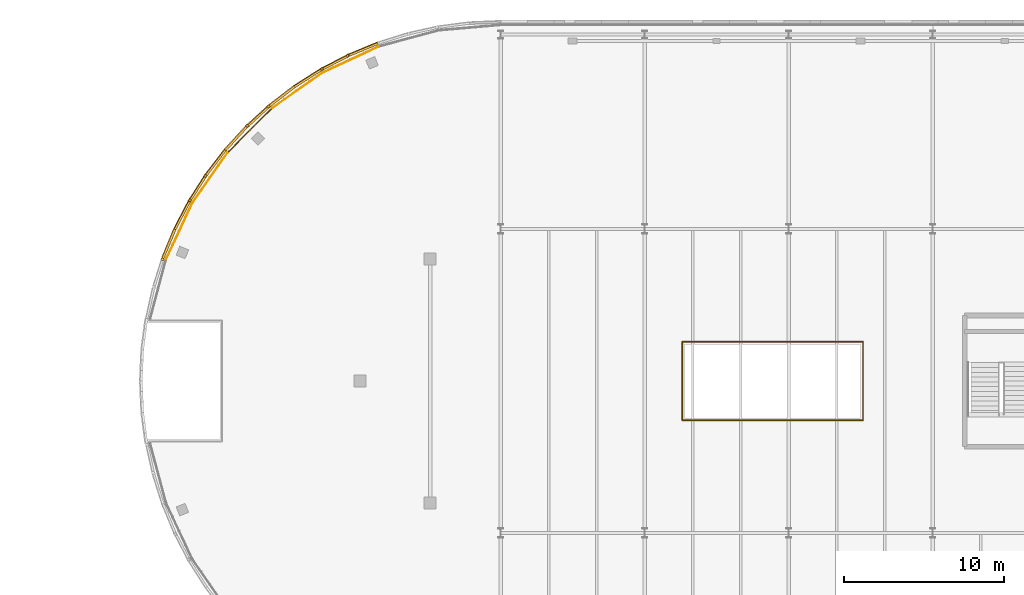
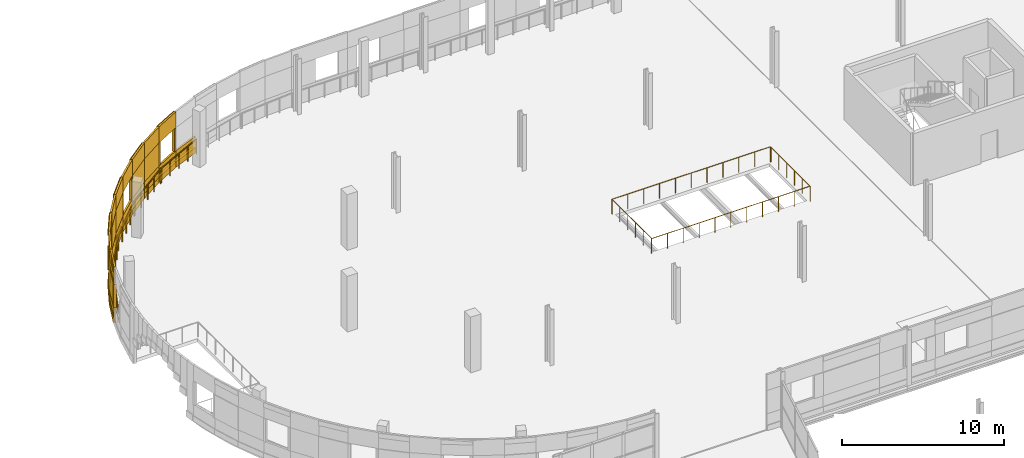
# One storey, part 124 of 135: 47 coverings, 7 railings.
"""IFC4 building model written with IfcOpenShell, lengths in metres."""

from ifc_helpers import new_model, si_unit, direction, frame, origin, origin_2d, place, context, subcontext, project, spatial, rectangle, circle, extrude, material, layer, layer_set, type_object, element, save


model = new_model("IFC4")

# Units and contexts
model_context = context("Model", 3, precision=1e-05, world=origin(), true_north=direction((0.0, 1.0)))
body_context = subcontext(model_context, "Body", "Model", "MODEL_VIEW")
ifc_project = project(units=[si_unit("LENGTHUNIT", "METRE"), si_unit("AREAUNIT", "SQUARE_METRE"), si_unit("VOLUMEUNIT", "CUBIC_METRE"), si_unit("PLANEANGLEUNIT", "RADIAN"), si_unit("MASSUNIT", "GRAM", prefix="KILO")], contexts=[model_context])

# Site, building, storey
site_placement = place(None, origin())
site = spatial("IfcSite", under=ifc_project, at=site_placement, CompositionType="ELEMENT")
building_placement = place(site_placement, origin())
building = spatial("IfcBuilding", under=site, at=building_placement, Name="Deido Ridge Mobility Hub", CompositionType="ELEMENT")
storey_placement = place(building_placement, frame((0.0, 0.0, 4.199951171875)))
storey = spatial("IfcBuildingStorey", under=building, at=storey_placement, Name="L01", CompositionType="ELEMENT", Elevation=4.199951171875)

# Coverings
ifc_material_1 = material(Name="Fired clay brick masonry", Category="masonry")
ifc_layer = layer(ifc_material_1, 0.114990234375, Name="Fired clay brick masonry")
ifc_layer_set = layer_set([ifc_layer], Name="Fired clay brick masonry")
covering_type = type_object("IfcCoveringType", Name="COV-BRK-SCREEN-115", PredefinedType="CLADDING", material=ifc_layer_set)
covering_1_placement = place(storey_placement, frame((36.41796875, 124.218994140625, 0.0), z_axis=(0.0, 0.0, 1.0), x_axis=(-0.923872853285, -0.382699557047, 0.0)))
element("IfcCovering", 1, at=covering_1_placement, inside=storey, type_object=covering_type, Name="Open brickwork spandrel course BKS1 (L01)", PredefinedType="CLADDING", context=body_context, shape_type="SweptSolid", body=[
    extrude(rectangle(XDim=1.9619140625, YDim=0.125, at=origin_2d()), origin(), (0.0, 0.0, 1.0), 1.25),
])
covering_2_placement = place(storey_placement, frame((36.4072265625, 124.244384765625, 0.0), z_axis=(0.0, 0.0, 1.0), x_axis=(-0.923872853285, -0.382699557047, 0.0)))
element("IfcCovering", 2, at=covering_2_placement, inside=storey, type_object=covering_type, Name="Raised brick relief belt BKS1 (L01)", PredefinedType="CLADDING", context=body_context, shape_type="SweptSolid", body=[
    extrude(rectangle(XDim=1.9619140625, YDim=0.179931640625, at=origin_2d()), origin(), (0.0, 0.0, 1.0), 0.39990234375),
])
covering_3_placement = place(storey_placement, frame((34.644775390625, 123.392333984375, 0.0), z_axis=(0.0, 0.0, 1.0), x_axis=(-0.887018892077, -0.461733131905, 0.0)))
element("IfcCovering", 3, at=covering_3_placement, inside=storey, type_object=covering_type, Name="Open brickwork spandrel course BKS1 (L01)", PredefinedType="CLADDING", context=body_context, shape_type="SweptSolid", body=[
    extrude(rectangle(XDim=1.9619140625, YDim=0.125, at=origin_2d()), origin(), (0.0, 0.0, 1.0), 1.25),
])
covering_4_placement = place(storey_placement, frame((34.632080078125, 123.416748046875, 0.0), z_axis=(0.0, 0.0, 1.0), x_axis=(-0.887018892077, -0.461733131905, 0.0)))
element("IfcCovering", 4, at=covering_4_placement, inside=storey, type_object=covering_type, Name="Raised brick relief belt BKS1 (L01)", PredefinedType="CLADDING", context=body_context, shape_type="SweptSolid", body=[
    extrude(rectangle(XDim=1.9619140625, YDim=0.179931640625, at=origin_2d()), origin(), (0.0, 0.0, 1.0), 0.39990234375),
])
covering_5_placement = place(storey_placement, frame((34.644775390625, 123.392333984375, 3.0), z_axis=(0.0, 0.0, 1.0), x_axis=(-0.887018892077, -0.461733131905, 0.0)))
element("IfcCovering", 5, at=covering_5_placement, inside=storey, type_object=covering_type, Name="Open brickwork lintel course BKS1 (L01)", PredefinedType="CLADDING", context=body_context, shape_type="SweptSolid", body=[
    extrude(rectangle(XDim=1.9619140625, YDim=0.125, at=origin_2d()), origin(), (0.0, 0.0, 1.0), 1.199951171875),
])
covering_6_placement = place(storey_placement, frame((34.632080078125, 123.416748046875, 3.83984375), z_axis=(0.0, 0.0, 1.0), x_axis=(-0.887018892077, -0.461733131905, 0.0)))
element("IfcCovering", 6, at=covering_6_placement, inside=storey, type_object=covering_type, Name="Raised brick relief cornice BKS1 (L01)", PredefinedType="CLADDING", context=body_context, shape_type="SweptSolid", body=[
    extrude(rectangle(XDim=1.9619140625, YDim=0.179931640625, at=origin_2d()), origin(), (0.0, 0.0, 1.0), 0.360107421875),
])
for number, where, z_axis, x_axis, name in (
    (7, (35.431396484375, 123.832763671875, 1.25), (0.0, 0.0, 1.0), (-0.887018892077, -0.461733131905, 0.0), "Curved brick jamb nib BKS1 (L01)"),
    (8, (33.832763671875, 123.00048828125, 1.25), (0.0, 0.0, 1.0), (-0.887018892077, -0.461733131905, 0.0), "Curved brick jamb nib BKS1 (L01)"),
):
    element("IfcCovering", number, at=place(storey_placement, frame(where, z_axis=z_axis, x_axis=x_axis)), inside=storey, type_object=covering_type, Name=name, PredefinedType="CLADDING", context=body_context, shape_type="SweptSolid", body=[
        extrude(rectangle(XDim=0.152099609375, YDim=0.179931640625, at=origin_2d()), origin(), (0.0, 0.0, 1.0), 1.75),
    ])
covering_7_placement = place(storey_placement, frame((32.950439453125, 122.4140625, 0.0), z_axis=(0.0, 0.0, 1.0), x_axis=(-0.843382068037, -0.537314328223, 0.0)))
element("IfcCovering", 9, at=covering_7_placement, inside=storey, type_object=covering_type, Name="Open brickwork spandrel course BKS1 (L01)", PredefinedType="CLADDING", context=body_context, shape_type="SweptSolid", body=[
    extrude(rectangle(XDim=1.9619140625, YDim=0.125, at=origin_2d()), origin(), (0.0, 0.0, 1.0), 1.25),
])
covering_8_placement = place(storey_placement, frame((32.935791015625, 122.437255859375, 0.0), z_axis=(0.0, 0.0, 1.0), x_axis=(-0.843382068037, -0.537314328223, 0.0)))
element("IfcCovering", 10, at=covering_8_placement, inside=storey, type_object=covering_type, Name="Raised brick relief belt BKS1 (L01)", PredefinedType="CLADDING", context=body_context, shape_type="SweptSolid", body=[
    extrude(rectangle(XDim=1.9619140625, YDim=0.179931640625, at=origin_2d()), origin(), (0.0, 0.0, 1.0), 0.39990234375),
])
covering_9_placement = place(storey_placement, frame((32.950439453125, 122.4140625, 3.0), z_axis=(0.0, 0.0, 1.0), x_axis=(-0.843382068037, -0.537314328223, 0.0)))
element("IfcCovering", 11, at=covering_9_placement, inside=storey, type_object=covering_type, Name="Open brickwork lintel course BKS1 (L01)", PredefinedType="CLADDING", context=body_context, shape_type="SweptSolid", body=[
    extrude(rectangle(XDim=1.9619140625, YDim=0.125, at=origin_2d()), origin(), (0.0, 0.0, 1.0), 1.199951171875),
])
covering_10_placement = place(storey_placement, frame((32.950439453125, 122.4140625, 1.25), z_axis=(0.0, 0.0, 1.0), x_axis=(-0.843382068037, -0.537314328223, 0.0)))
element("IfcCovering", 12, at=covering_10_placement, inside=storey, type_object=covering_type, Name="Curved raised brickwork pier BKS1 (L01)", PredefinedType="CLADDING", context=body_context, shape_type="SweptSolid", body=[
    extrude(rectangle(XDim=1.9619140625, YDim=0.125, at=origin_2d()), origin(), (0.0, 0.0, 1.0), 1.75),
])
covering_11_placement = place(storey_placement, frame((31.347900390625, 121.2919921875, 0.0), z_axis=(0.0, 0.0, 1.0), x_axis=(-0.793353340291, -0.608761429009, 0.0)))
element("IfcCovering", 13, at=covering_11_placement, inside=storey, type_object=covering_type, Name="Open brickwork spandrel course BKS1 (L01)", PredefinedType="CLADDING", context=body_context, shape_type="SweptSolid", body=[
    extrude(rectangle(XDim=1.9619140625, YDim=0.125, at=origin_2d()), origin(), (0.0, 0.0, 1.0), 1.25),
])
covering_12_placement = place(storey_placement, frame((31.3310546875, 121.313720703125, 0.0), z_axis=(0.0, 0.0, 1.0), x_axis=(-0.793353340291, -0.608761429009, 0.0)))
element("IfcCovering", 14, at=covering_12_placement, inside=storey, type_object=covering_type, Name="Raised brick relief belt BKS1 (L01)", PredefinedType="CLADDING", context=body_context, shape_type="SweptSolid", body=[
    extrude(rectangle(XDim=1.9619140625, YDim=0.179931640625, at=origin_2d()), origin(), (0.0, 0.0, 1.0), 0.39990234375),
])
covering_13_placement = place(storey_placement, frame((31.347900390625, 121.2919921875, 3.0), z_axis=(0.0, 0.0, 1.0), x_axis=(-0.793353340291, -0.608761429009, 0.0)))
element("IfcCovering", 15, at=covering_13_placement, inside=storey, type_object=covering_type, Name="Open brickwork lintel course BKS1 (L01)", PredefinedType="CLADDING", context=body_context, shape_type="SweptSolid", body=[
    extrude(rectangle(XDim=1.9619140625, YDim=0.125, at=origin_2d()), origin(), (0.0, 0.0, 1.0), 1.199951171875),
])
covering_14_placement = place(storey_placement, frame((31.3310546875, 121.313720703125, 3.83984375), z_axis=(0.0, 0.0, 1.0), x_axis=(-0.793353340291, -0.608761429009, 0.0)))
element("IfcCovering", 16, at=covering_14_placement, inside=storey, type_object=covering_type, Name="Raised brick relief cornice BKS1 (L01)", PredefinedType="CLADDING", context=body_context, shape_type="SweptSolid", body=[
    extrude(rectangle(XDim=1.9619140625, YDim=0.179931640625, at=origin_2d()), origin(), (0.0, 0.0, 1.0), 0.360107421875),
])
covering_15_placement = place(storey_placement, frame((31.3310546875, 121.313720703125, 1.25), z_axis=(0.0, 0.0, 1.0), x_axis=(-0.793353340291, -0.608761429009, 0.0)))
element("IfcCovering", 17, at=covering_15_placement, inside=storey, type_object=covering_type, Name="Curved raised brickwork pier BKS1 (L01)", PredefinedType="CLADDING", context=body_context, shape_type="SweptSolid", body=[
    extrude(rectangle(XDim=1.9619140625, YDim=0.179931640625, at=origin_2d()), origin(), (0.0, 0.0, 1.0), 1.75),
])
covering_16_placement = place(storey_placement, frame((29.84912109375, 120.0341796875, 0.0), z_axis=(0.0, 0.0, 1.0), x_axis=(-0.737289127971, -0.675577339596, 0.0)))
element("IfcCovering", 18, at=covering_16_placement, inside=storey, type_object=covering_type, Name="Open brickwork spandrel course BKS1 (L01)", PredefinedType="CLADDING", context=body_context, shape_type="SweptSolid", body=[
    extrude(rectangle(XDim=1.9619140625, YDim=0.125, at=origin_2d()), origin(), (0.0, 0.0, 1.0), 1.25),
])
covering_17_placement = place(storey_placement, frame((29.83056640625, 120.0546875, 0.0), z_axis=(0.0, 0.0, 1.0), x_axis=(-0.737289127971, -0.675577339596, 0.0)))
element("IfcCovering", 19, at=covering_17_placement, inside=storey, type_object=covering_type, Name="Raised brick relief belt BKS1 (L01)", PredefinedType="CLADDING", context=body_context, shape_type="SweptSolid", body=[
    extrude(rectangle(XDim=1.9619140625, YDim=0.179931640625, at=origin_2d()), origin(), (0.0, 0.0, 1.0), 0.39990234375),
])
covering_18_placement = place(storey_placement, frame((29.84912109375, 120.0341796875, 3.0), z_axis=(0.0, 0.0, 1.0), x_axis=(-0.737289127971, -0.675577339596, 0.0)))
element("IfcCovering", 20, at=covering_18_placement, inside=storey, type_object=covering_type, Name="Open brickwork lintel course BKS1 (L01)", PredefinedType="CLADDING", context=body_context, shape_type="SweptSolid", body=[
    extrude(rectangle(XDim=1.9619140625, YDim=0.125, at=origin_2d()), origin(), (0.0, 0.0, 1.0), 1.199951171875),
])
for number, where, z_axis, x_axis, name in (
    (21, (30.494873046875, 120.663330078125, 1.25), (0.0, 0.0, 1.0), (-0.737289127971, -0.675577339596, 0.0), "Curved brick jamb nib BKS1 (L01)"),
    (22, (29.166259765625, 119.44580078125, 1.25), (0.0, 0.0, 1.0), (-0.737289127971, -0.675577339596, 0.0), "Curved brick jamb nib BKS1 (L01)"),
):
    element("IfcCovering", number, at=place(storey_placement, frame(where, z_axis=z_axis, x_axis=x_axis)), inside=storey, type_object=covering_type, Name=name, PredefinedType="CLADDING", context=body_context, shape_type="SweptSolid", body=[
        extrude(rectangle(XDim=0.152099609375, YDim=0.179931640625, at=origin_2d()), origin(), (0.0, 0.0, 1.0), 1.75),
    ])
covering_19_placement = place(storey_placement, frame((28.4658203125, 118.65087890625, 0.0), z_axis=(0.0, 0.0, 1.0), x_axis=(-0.675577339596, -0.737289127971, 0.0)))
element("IfcCovering", 23, at=covering_19_placement, inside=storey, type_object=covering_type, Name="Open brickwork spandrel course BKS1 (L01)", PredefinedType="CLADDING", context=body_context, shape_type="SweptSolid", body=[
    extrude(rectangle(XDim=1.9619140625, YDim=0.125, at=origin_2d()), origin(), (0.0, 0.0, 1.0), 1.25),
])
covering_20_placement = place(storey_placement, frame((28.4453125, 118.66943359375, 0.0), z_axis=(0.0, 0.0, 1.0), x_axis=(-0.675577339596, -0.737289127971, 0.0)))
element("IfcCovering", 24, at=covering_20_placement, inside=storey, type_object=covering_type, Name="Raised brick relief belt BKS1 (L01)", PredefinedType="CLADDING", context=body_context, shape_type="SweptSolid", body=[
    extrude(rectangle(XDim=1.9619140625, YDim=0.179931640625, at=origin_2d()), origin(), (0.0, 0.0, 1.0), 0.39990234375),
])
covering_21_placement = place(storey_placement, frame((28.4658203125, 118.65087890625, 3.0), z_axis=(0.0, 0.0, 1.0), x_axis=(-0.675577339596, -0.737289127971, 0.0)))
element("IfcCovering", 25, at=covering_21_placement, inside=storey, type_object=covering_type, Name="Open brickwork lintel course BKS1 (L01)", PredefinedType="CLADDING", context=body_context, shape_type="SweptSolid", body=[
    extrude(rectangle(XDim=1.9619140625, YDim=0.125, at=origin_2d()), origin(), (0.0, 0.0, 1.0), 1.199951171875),
])
covering_22_placement = place(storey_placement, frame((28.4453125, 118.66943359375, 3.83984375), z_axis=(0.0, 0.0, 1.0), x_axis=(-0.675577339596, -0.737289127971, 0.0)))
element("IfcCovering", 26, at=covering_22_placement, inside=storey, type_object=covering_type, Name="Raised brick relief cornice BKS1 (L01)", PredefinedType="CLADDING", context=body_context, shape_type="SweptSolid", body=[
    extrude(rectangle(XDim=1.9619140625, YDim=0.179931640625, at=origin_2d()), origin(), (0.0, 0.0, 1.0), 0.360107421875),
])
covering_23_placement = place(storey_placement, frame((28.4453125, 118.66943359375, 1.25), z_axis=(0.0, 0.0, 1.0), x_axis=(-0.675577339596, -0.737289127971, 0.0)))
element("IfcCovering", 27, at=covering_23_placement, inside=storey, type_object=covering_type, Name="Curved raised brickwork pier BKS1 (L01)", PredefinedType="CLADDING", context=body_context, shape_type="SweptSolid", body=[
    extrude(rectangle(XDim=1.9619140625, YDim=0.179931640625, at=origin_2d()), origin(), (0.0, 0.0, 1.0), 1.75),
])
covering_24_placement = place(storey_placement, frame((27.2080078125, 117.152099609375, 0.0), z_axis=(0.0, 0.0, 1.0), x_axis=(-0.608761429009, -0.793353340291, 0.0)))
element("IfcCovering", 28, at=covering_24_placement, inside=storey, type_object=covering_type, Name="Open brickwork spandrel course BKS1 (L01)", PredefinedType="CLADDING", context=body_context, shape_type="SweptSolid", body=[
    extrude(rectangle(XDim=1.9619140625, YDim=0.125, at=origin_2d()), origin(), (0.0, 0.0, 1.0), 1.25),
])
covering_25_placement = place(storey_placement, frame((27.186279296875, 117.1689453125, 0.0), z_axis=(0.0, 0.0, 1.0), x_axis=(-0.608761429009, -0.793353340291, 0.0)))
element("IfcCovering", 29, at=covering_25_placement, inside=storey, type_object=covering_type, Name="Raised brick relief belt BKS1 (L01)", PredefinedType="CLADDING", context=body_context, shape_type="SweptSolid", body=[
    extrude(rectangle(XDim=1.9619140625, YDim=0.179931640625, at=origin_2d()), origin(), (0.0, 0.0, 1.0), 0.39990234375),
])
covering_26_placement = place(storey_placement, frame((27.2080078125, 117.152099609375, 3.0), z_axis=(0.0, 0.0, 1.0), x_axis=(-0.608761429009, -0.793353340291, 0.0)))
element("IfcCovering", 30, at=covering_26_placement, inside=storey, type_object=covering_type, Name="Open brickwork lintel course BKS1 (L01)", PredefinedType="CLADDING", context=body_context, shape_type="SweptSolid", body=[
    extrude(rectangle(XDim=1.9619140625, YDim=0.125, at=origin_2d()), origin(), (0.0, 0.0, 1.0), 1.199951171875),
])
covering_27_placement = place(storey_placement, frame((27.2080078125, 117.152099609375, 1.25), z_axis=(0.0, 0.0, 1.0), x_axis=(-0.608761429009, -0.793353340291, 0.0)))
element("IfcCovering", 31, at=covering_27_placement, inside=storey, type_object=covering_type, Name="Curved raised brickwork pier BKS1 (L01)", PredefinedType="CLADDING", context=body_context, shape_type="SweptSolid", body=[
    extrude(rectangle(XDim=1.9619140625, YDim=0.125, at=origin_2d()), origin(), (0.0, 0.0, 1.0), 1.75),
])
covering_28_placement = place(storey_placement, frame((26.0859375, 115.549560546875, 0.0), z_axis=(0.0, 0.0, 1.0), x_axis=(-0.537314328223, -0.843382068037, 0.0)))
element("IfcCovering", 32, at=covering_28_placement, inside=storey, type_object=covering_type, Name="Open brickwork spandrel course BKS1 (L01)", PredefinedType="CLADDING", context=body_context, shape_type="SweptSolid", body=[
    extrude(rectangle(XDim=1.9619140625, YDim=0.125, at=origin_2d()), origin(), (0.0, 0.0, 1.0), 1.25),
])
covering_29_placement = place(storey_placement, frame((26.062744140625, 115.564208984375, 0.0), z_axis=(0.0, 0.0, 1.0), x_axis=(-0.537314328223, -0.843382068037, 0.0)))
element("IfcCovering", 33, at=covering_29_placement, inside=storey, type_object=covering_type, Name="Raised brick relief belt BKS1 (L01)", PredefinedType="CLADDING", context=body_context, shape_type="SweptSolid", body=[
    extrude(rectangle(XDim=1.9619140625, YDim=0.179931640625, at=origin_2d()), origin(), (0.0, 0.0, 1.0), 0.39990234375),
])
covering_30_placement = place(storey_placement, frame((26.0859375, 115.549560546875, 3.0), z_axis=(0.0, 0.0, 1.0), x_axis=(-0.537314328223, -0.843382068037, 0.0)))
element("IfcCovering", 34, at=covering_30_placement, inside=storey, type_object=covering_type, Name="Open brickwork lintel course BKS1 (L01)", PredefinedType="CLADDING", context=body_context, shape_type="SweptSolid", body=[
    extrude(rectangle(XDim=1.9619140625, YDim=0.125, at=origin_2d()), origin(), (0.0, 0.0, 1.0), 1.199951171875),
])
covering_31_placement = place(storey_placement, frame((26.062744140625, 115.564208984375, 3.83984375), z_axis=(0.0, 0.0, 1.0), x_axis=(-0.537314328223, -0.843382068037, 0.0)))
element("IfcCovering", 35, at=covering_31_placement, inside=storey, type_object=covering_type, Name="Raised brick relief cornice BKS1 (L01)", PredefinedType="CLADDING", context=body_context, shape_type="SweptSolid", body=[
    extrude(rectangle(XDim=1.9619140625, YDim=0.179931640625, at=origin_2d()), origin(), (0.0, 0.0, 1.0), 0.360107421875),
])
for number, where, z_axis, x_axis, name in (
    (36, (26.546875, 116.32421875, 1.25), (0.0, 0.0, 1.0), (-0.537314328223, -0.843382068037, 0.0), "Curved brick jamb nib BKS1 (L01)"),
    (37, (25.57861328125, 114.804443359375, 1.25), (0.0, 0.0, 1.0), (-0.537314328223, -0.843382068037, 0.0), "Curved brick jamb nib BKS1 (L01)"),
):
    element("IfcCovering", number, at=place(storey_placement, frame(where, z_axis=z_axis, x_axis=x_axis)), inside=storey, type_object=covering_type, Name=name, PredefinedType="CLADDING", context=body_context, shape_type="SweptSolid", body=[
        extrude(rectangle(XDim=0.152099609375, YDim=0.179931640625, at=origin_2d()), origin(), (0.0, 0.0, 1.0), 1.75),
    ])
covering_32_placement = place(storey_placement, frame((25.107666015625, 113.855224609375, 0.0), z_axis=(0.0, 0.0, 1.0), x_axis=(-0.461733131905, -0.887018892077, 0.0)))
element("IfcCovering", 38, at=covering_32_placement, inside=storey, type_object=covering_type, Name="Open brickwork spandrel course BKS1 (L01)", PredefinedType="CLADDING", context=body_context, shape_type="SweptSolid", body=[
    extrude(rectangle(XDim=1.9619140625, YDim=0.125, at=origin_2d()), origin(), (0.0, 0.0, 1.0), 1.25),
])
covering_33_placement = place(storey_placement, frame((25.083251953125, 113.867919921875, 0.0), z_axis=(0.0, 0.0, 1.0), x_axis=(-0.461733131905, -0.887018892077, 0.0)))
element("IfcCovering", 39, at=covering_33_placement, inside=storey, type_object=covering_type, Name="Raised brick relief belt BKS1 (L01)", PredefinedType="CLADDING", context=body_context, shape_type="SweptSolid", body=[
    extrude(rectangle(XDim=1.9619140625, YDim=0.179931640625, at=origin_2d()), origin(), (0.0, 0.0, 1.0), 0.39990234375),
])
covering_34_placement = place(storey_placement, frame((25.107666015625, 113.855224609375, 3.0), z_axis=(0.0, 0.0, 1.0), x_axis=(-0.461733131905, -0.887018892077, 0.0)))
element("IfcCovering", 40, at=covering_34_placement, inside=storey, type_object=covering_type, Name="Open brickwork lintel course BKS1 (L01)", PredefinedType="CLADDING", context=body_context, shape_type="SweptSolid", body=[
    extrude(rectangle(XDim=1.9619140625, YDim=0.125, at=origin_2d()), origin(), (0.0, 0.0, 1.0), 1.199951171875),
])
covering_35_placement = place(storey_placement, frame((25.107666015625, 113.855224609375, 1.25), z_axis=(0.0, 0.0, 1.0), x_axis=(-0.461733131905, -0.887018892077, 0.0)))
element("IfcCovering", 41, at=covering_35_placement, inside=storey, type_object=covering_type, Name="Curved raised brickwork pier BKS1 (L01)", PredefinedType="CLADDING", context=body_context, shape_type="SweptSolid", body=[
    extrude(rectangle(XDim=1.9619140625, YDim=0.125, at=origin_2d()), origin(), (0.0, 0.0, 1.0), 1.75),
])
covering_36_placement = place(storey_placement, frame((24.281005859375, 112.08203125, 0.0), z_axis=(0.0, 0.0, 1.0), x_axis=(-0.382699557047, -0.923872853285, 0.0)))
element("IfcCovering", 42, at=covering_36_placement, inside=storey, type_object=covering_type, Name="Open brickwork spandrel course BKS1 (L01)", PredefinedType="CLADDING", context=body_context, shape_type="SweptSolid", body=[
    extrude(rectangle(XDim=1.9619140625, YDim=0.125, at=origin_2d()), origin(), (0.0, 0.0, 1.0), 1.25),
])
covering_37_placement = place(storey_placement, frame((24.255615234375, 112.0927734375, 0.0), z_axis=(0.0, 0.0, 1.0), x_axis=(-0.382699557047, -0.923872853285, 0.0)))
element("IfcCovering", 43, at=covering_37_placement, inside=storey, type_object=covering_type, Name="Raised brick relief belt BKS1 (L01)", PredefinedType="CLADDING", context=body_context, shape_type="SweptSolid", body=[
    extrude(rectangle(XDim=1.9619140625, YDim=0.179931640625, at=origin_2d()), origin(), (0.0, 0.0, 1.0), 0.39990234375),
])
covering_38_placement = place(storey_placement, frame((24.281005859375, 112.08203125, 3.0), z_axis=(0.0, 0.0, 1.0), x_axis=(-0.382699557047, -0.923872853285, 0.0)))
element("IfcCovering", 44, at=covering_38_placement, inside=storey, type_object=covering_type, Name="Open brickwork lintel course BKS1 (L01)", PredefinedType="CLADDING", context=body_context, shape_type="SweptSolid", body=[
    extrude(rectangle(XDim=1.9619140625, YDim=0.125, at=origin_2d()), origin(), (0.0, 0.0, 1.0), 1.199951171875),
])
covering_39_placement = place(storey_placement, frame((24.255615234375, 112.0927734375, 3.83984375), z_axis=(0.0, 0.0, 1.0), x_axis=(-0.382699557047, -0.923872853285, 0.0)))
element("IfcCovering", 45, at=covering_39_placement, inside=storey, type_object=covering_type, Name="Raised brick relief cornice BKS1 (L01)", PredefinedType="CLADDING", context=body_context, shape_type="SweptSolid", body=[
    extrude(rectangle(XDim=1.9619140625, YDim=0.179931640625, at=origin_2d()), origin(), (0.0, 0.0, 1.0), 0.360107421875),
])
covering_40_placement = place(storey_placement, frame((24.255615234375, 112.0927734375, 1.25), z_axis=(0.0, 0.0, 1.0), x_axis=(-0.382699557047, -0.923872853285, 0.0)))
element("IfcCovering", 46, at=covering_40_placement, inside=storey, type_object=covering_type, Name="Curved raised brickwork pier BKS1 (L01)", PredefinedType="CLADDING", context=body_context, shape_type="SweptSolid", body=[
    extrude(rectangle(XDim=1.9619140625, YDim=0.179931640625, at=origin_2d()), origin(), (0.0, 0.0, 1.0), 1.75),
])
covering_41_placement = place(storey_placement, frame((23.8564453125, 111.111328125, 1.25), z_axis=(0.0, 0.0, 1.0), x_axis=(-0.300672508319, -0.95372744678, 0.0)))
element("IfcCovering", 47, at=covering_41_placement, inside=storey, type_object=covering_type, Name="Curved brick jamb nib BKS1 (L01)", PredefinedType="CLADDING", context=body_context, shape_type="SweptSolid", body=[
    extrude(rectangle(XDim=0.152099609375, YDim=0.179931640625, at=origin_2d()), origin(), (0.0, 0.0, 1.0), 1.75),
])

# Railings
ifc_material_2 = material(Name="Galvanised steel work", Category="steel")
railing_type = type_object("IfcRailingType", Name="RL-GRD-EXT-1150", PredefinedType="GUARDRAIL", material=ifc_material_2)
railing_1_placement = place(storey_placement, frame((37.353759765625, 124.391357421875, 0.0)))
element("IfcRailing", 48, at=railing_1_placement, inside=storey, type_object=railing_type, Name="Parking drum perimeter guard (L01)", PredefinedType="GUARDRAIL", context=body_context, shape_type="SweptSolid", body=[
    extrude(circle(Radius=0.02392578125, at=origin_2d()), frame((0.0, 0.0, 1.1259765625), z_axis=(-0.906281639574, -0.422674330627, 0.0), x_axis=(0.422674330627, -0.906281639574, 0.0)), (0.0, 0.0, 1.0), 3.79833984375),
    extrude(circle(Radius=0.02099609375, at=origin_2d()), origin(), (0.0, 0.0, 1.0), 1.101806640625),
    extrude(circle(Radius=0.02099609375, at=origin_2d()), frame((-0.860595703125, -0.4013671875, 0.0)), (0.0, 0.0, 1.0), 1.101806640625),
    extrude(circle(Radius=0.02099609375, at=origin_2d()), frame((-1.72119140625, -0.802734375, 0.0)), (0.0, 0.0, 1.0), 1.101806640625),
    extrude(circle(Radius=0.02099609375, at=origin_2d()), frame((-2.581787109375, -1.2041015625, 0.0)), (0.0, 0.0, 1.0), 1.101806640625),
    extrude(circle(Radius=0.02099609375, at=origin_2d()), frame((-3.4423828125, -1.60546875, 0.0)), (0.0, 0.0, 1.0), 1.101806640625),
])
railing_2_placement = place(storey_placement, frame((33.84228515625, 122.74609375, 0.0)))
element("IfcRailing", 49, at=railing_2_placement, inside=storey, type_object=railing_type, Name="Parking drum perimeter guard (L01)", PredefinedType="GUARDRAIL", context=body_context, shape_type="SweptSolid", body=[
    extrude(circle(Radius=0.02392578125, at=origin_2d()), frame((0.0, 0.0, 1.1259765625), z_axis=(-0.819156425271, -0.573570179609, 0.0), x_axis=(0.573570179609, -0.819156425271, 0.0)), (0.0, 0.0, 1.0), 3.798583984375),
    extrude(circle(Radius=0.02099609375, at=origin_2d()), origin(), (0.0, 0.0, 1.0), 1.101806640625),
    extrude(circle(Radius=0.02099609375, at=origin_2d()), frame((-0.77783203125, -0.544677734375, 0.0)), (0.0, 0.0, 1.0), 1.101806640625),
    extrude(circle(Radius=0.02099609375, at=origin_2d()), frame((-1.5556640625, -1.08935546875, 0.0)), (0.0, 0.0, 1.0), 1.101806640625),
    extrude(circle(Radius=0.02099609375, at=origin_2d()), frame((-2.333740234375, -1.634033203125, 0.0)), (0.0, 0.0, 1.0), 1.101806640625),
    extrude(circle(Radius=0.02099609375, at=origin_2d()), frame((-3.111572265625, -2.1787109375, 0.0)), (0.0, 0.0, 1.0), 1.101806640625),
])
railing_3_placement = place(storey_placement, frame((30.669677734375, 120.51611328125, 0.0)))
element("IfcRailing", 50, at=railing_3_placement, inside=storey, type_object=railing_type, Name="Parking drum perimeter guard (L01)", PredefinedType="GUARDRAIL", context=body_context, shape_type="SweptSolid", body=[
    extrude(circle(Radius=0.02392578125, at=origin_2d()), frame((0.0, 0.0, 1.1259765625), z_axis=(-0.707106781187, -0.707106781187, 0.0), x_axis=(0.707106781187, -0.707106781187, 0.0)), (0.0, 0.0, 1.0), 3.79833984375),
    extrude(circle(Radius=0.02099609375, at=origin_2d()), origin(), (0.0, 0.0, 1.0), 1.101806640625),
    extrude(circle(Radius=0.02099609375, at=origin_2d()), frame((-0.67138671875, -0.67138671875, 0.0)), (0.0, 0.0, 1.0), 1.101806640625),
    extrude(circle(Radius=0.02099609375, at=origin_2d()), frame((-1.3427734375, -1.3427734375, 0.0)), (0.0, 0.0, 1.0), 1.101806640625),
    extrude(circle(Radius=0.02099609375, at=origin_2d()), frame((-2.014404296875, -2.014404296875, 0.0)), (0.0, 0.0, 1.0), 1.101806640625),
    extrude(circle(Radius=0.02099609375, at=origin_2d()), frame((-2.685791015625, -2.685791015625, 0.0)), (0.0, 0.0, 1.0), 1.101806640625),
])
railing_4_placement = place(storey_placement, frame((27.9326171875, 117.769287109375, 0.0)))
element("IfcRailing", 51, at=railing_4_placement, inside=storey, type_object=railing_type, Name="Parking drum perimeter guard (L01)", PredefinedType="GUARDRAIL", context=body_context, shape_type="SweptSolid", body=[
    extrude(circle(Radius=0.02392578125, at=origin_2d()), frame((0.0, 0.0, 1.1259765625), z_axis=(-0.573570179609, -0.819156425271, 0.0), x_axis=(0.819156425271, -0.573570179609, 0.0)), (0.0, 0.0, 1.0), 3.798583984375),
    extrude(circle(Radius=0.02099609375, at=origin_2d()), origin(), (0.0, 0.0, 1.0), 1.101806640625),
    extrude(circle(Radius=0.02099609375, at=origin_2d()), frame((-0.544677734375, -0.77783203125, 0.0)), (0.0, 0.0, 1.0), 1.101806640625),
    extrude(circle(Radius=0.02099609375, at=origin_2d()), frame((-1.08935546875, -1.5556640625, 0.0)), (0.0, 0.0, 1.0), 1.101806640625),
    extrude(circle(Radius=0.02099609375, at=origin_2d()), frame((-1.634033203125, -2.333740234375, 0.0)), (0.0, 0.0, 1.0), 1.101806640625),
    extrude(circle(Radius=0.02099609375, at=origin_2d()), frame((-2.1787109375, -3.111572265625, 0.0)), (0.0, 0.0, 1.0), 1.101806640625),
])
railing_5_placement = place(storey_placement, frame((25.714111328125, 114.588623046875, 0.0)))
element("IfcRailing", 52, at=railing_5_placement, inside=storey, type_object=railing_type, Name="Parking drum perimeter guard (L01)", PredefinedType="GUARDRAIL", context=body_context, shape_type="SweptSolid", body=[
    extrude(circle(Radius=0.02392578125, at=origin_2d()), frame((0.0, 0.0, 1.1259765625), z_axis=(-0.422674330627, -0.906281639574, 0.0), x_axis=(0.906281639574, -0.422674330627, 0.0)), (0.0, 0.0, 1.0), 3.79833984375),
    extrude(circle(Radius=0.02099609375, at=origin_2d()), origin(), (0.0, 0.0, 1.0), 1.101806640625),
    extrude(circle(Radius=0.02099609375, at=origin_2d()), frame((-0.4013671875, -0.860595703125, 0.0)), (0.0, 0.0, 1.0), 1.101806640625),
    extrude(circle(Radius=0.02099609375, at=origin_2d()), frame((-0.802734375, -1.72119140625, 0.0)), (0.0, 0.0, 1.0), 1.101806640625),
    extrude(circle(Radius=0.02099609375, at=origin_2d()), frame((-1.2041015625, -2.581787109375, 0.0)), (0.0, 0.0, 1.0), 1.101806640625),
    extrude(circle(Radius=0.02099609375, at=origin_2d()), frame((-1.60546875, -3.4423828125, 0.0)), (0.0, 0.0, 1.0), 1.101806640625),
])
railing_6_placement = place(storey_placement, frame((56.35009765625, 101.050048828125, 0.0)))
element("IfcRailing", 53, at=railing_6_placement, inside=storey, type_object=railing_type, Name="Parking west lightwell guard (L01) A", PredefinedType="GUARDRAIL", context=body_context, shape_type="SweptSolid", body=[
    extrude(circle(Radius=0.02392578125, at=origin_2d()), frame((0.0, 0.0, 1.1259765625), z_axis=(1.0, 0.0, 0.0), x_axis=(0.0, 1.0, 0.0)), (0.0, 0.0, 1.0), 11.2998046875),
    extrude(circle(Radius=0.02392578125, at=origin_2d()), frame((11.2998046875, 0.0, 1.1259765625), z_axis=(0.0, 1.0, 0.0), x_axis=(-1.0, 0.0, 0.0)), (0.0, 0.0, 1.0), 4.83984375),
    extrude(circle(Radius=0.02099609375, at=origin_2d()), origin(), (0.0, 0.0, 1.0), 1.101806640625),
    extrude(circle(Radius=0.02099609375, at=origin_2d()), frame((1.1298828125, 0.0, 0.0)), (0.0, 0.0, 1.0), 1.101806640625),
    extrude(circle(Radius=0.02099609375, at=origin_2d()), frame((2.260009765625, 0.0, 0.0)), (0.0, 0.0, 1.0), 1.101806640625),
    extrude(circle(Radius=0.02099609375, at=origin_2d()), frame((3.389892578125, 0.0, 0.0)), (0.0, 0.0, 1.0), 1.101806640625),
    extrude(circle(Radius=0.02099609375, at=origin_2d()), frame((4.52001953125, 0.0, 0.0)), (0.0, 0.0, 1.0), 1.101806640625),
    extrude(circle(Radius=0.02099609375, at=origin_2d()), frame((5.64990234375, 0.0, 0.0)), (0.0, 0.0, 1.0), 1.101806640625),
    extrude(circle(Radius=0.02099609375, at=origin_2d()), frame((6.77978515625, 0.0, 0.0)), (0.0, 0.0, 1.0), 1.101806640625),
    extrude(circle(Radius=0.02099609375, at=origin_2d()), frame((7.909912109375, 0.0, 0.0)), (0.0, 0.0, 1.0), 1.101806640625),
    extrude(circle(Radius=0.02099609375, at=origin_2d()), frame((9.039794921875, 0.0, 0.0)), (0.0, 0.0, 1.0), 1.101806640625),
    extrude(circle(Radius=0.02099609375, at=origin_2d()), frame((10.169921875, 0.0, 0.0)), (0.0, 0.0, 1.0), 1.101806640625),
    extrude(circle(Radius=0.02099609375, at=origin_2d()), frame((11.2998046875, 0.0, 0.0)), (0.0, 0.0, 1.0), 1.101806640625),
    extrude(circle(Radius=0.02099609375, at=origin_2d()), frame((11.2998046875, 0.968017578125, 0.0)), (0.0, 0.0, 1.0), 1.101806640625),
    extrude(circle(Radius=0.02099609375, at=origin_2d()), frame((11.2998046875, 1.93603515625, 0.0)), (0.0, 0.0, 1.0), 1.101806640625),
    extrude(circle(Radius=0.02099609375, at=origin_2d()), frame((11.2998046875, 2.90380859375, 0.0)), (0.0, 0.0, 1.0), 1.101806640625),
    extrude(circle(Radius=0.02099609375, at=origin_2d()), frame((11.2998046875, 3.871826171875, 0.0)), (0.0, 0.0, 1.0), 1.101806640625),
    extrude(circle(Radius=0.02099609375, at=origin_2d()), frame((11.2998046875, 4.83984375, 0.0)), (0.0, 0.0, 1.0), 1.101806640625),
])
railing_7_placement = place(storey_placement, frame((67.64990234375, 105.949951171875, 0.0)))
element("IfcRailing", 54, at=railing_7_placement, inside=storey, type_object=railing_type, Name="Parking west lightwell guard (L01) B", PredefinedType="GUARDRAIL", context=body_context, shape_type="SweptSolid", body=[
    extrude(circle(Radius=0.02392578125, at=origin_2d()), frame((0.0, 0.0, 1.1259765625), z_axis=(-1.0, 0.0, 0.0), x_axis=(0.0, -1.0, 0.0)), (0.0, 0.0, 1.0), 11.2998046875),
    extrude(circle(Radius=0.02392578125, at=origin_2d()), frame((-11.2998046875, 0.0, 1.1259765625), z_axis=(0.0, -1.0, 0.0), x_axis=(1.0, 0.0, 0.0)), (0.0, 0.0, 1.0), 4.83984375),
    extrude(circle(Radius=0.02099609375, at=origin_2d()), origin(), (0.0, 0.0, 1.0), 1.101806640625),
    extrude(circle(Radius=0.02099609375, at=origin_2d()), frame((-1.1298828125, 0.0, 0.0)), (0.0, 0.0, 1.0), 1.101806640625),
    extrude(circle(Radius=0.02099609375, at=origin_2d()), frame((-2.260009765625, 0.0, 0.0)), (0.0, 0.0, 1.0), 1.101806640625),
    extrude(circle(Radius=0.02099609375, at=origin_2d()), frame((-3.389892578125, 0.0, 0.0)), (0.0, 0.0, 1.0), 1.101806640625),
    extrude(circle(Radius=0.02099609375, at=origin_2d()), frame((-4.52001953125, 0.0, 0.0)), (0.0, 0.0, 1.0), 1.101806640625),
    extrude(circle(Radius=0.02099609375, at=origin_2d()), frame((-5.64990234375, 0.0, 0.0)), (0.0, 0.0, 1.0), 1.101806640625),
    extrude(circle(Radius=0.02099609375, at=origin_2d()), frame((-6.77978515625, 0.0, 0.0)), (0.0, 0.0, 1.0), 1.101806640625),
    extrude(circle(Radius=0.02099609375, at=origin_2d()), frame((-7.909912109375, 0.0, 0.0)), (0.0, 0.0, 1.0), 1.101806640625),
    extrude(circle(Radius=0.02099609375, at=origin_2d()), frame((-9.039794921875, 0.0, 0.0)), (0.0, 0.0, 1.0), 1.101806640625),
    extrude(circle(Radius=0.02099609375, at=origin_2d()), frame((-10.169921875, 0.0, 0.0)), (0.0, 0.0, 1.0), 1.101806640625),
    extrude(circle(Radius=0.02099609375, at=origin_2d()), frame((-11.2998046875, 0.0, 0.0)), (0.0, 0.0, 1.0), 1.101806640625),
    extrude(circle(Radius=0.02099609375, at=origin_2d()), frame((-11.2998046875, -0.968017578125, 0.0)), (0.0, 0.0, 1.0), 1.101806640625),
    extrude(circle(Radius=0.02099609375, at=origin_2d()), frame((-11.2998046875, -1.93603515625, 0.0)), (0.0, 0.0, 1.0), 1.101806640625),
    extrude(circle(Radius=0.02099609375, at=origin_2d()), frame((-11.2998046875, -2.90380859375, 0.0)), (0.0, 0.0, 1.0), 1.101806640625),
    extrude(circle(Radius=0.02099609375, at=origin_2d()), frame((-11.2998046875, -3.871826171875, 0.0)), (0.0, 0.0, 1.0), 1.101806640625),
    extrude(circle(Radius=0.02099609375, at=origin_2d()), frame((-11.2998046875, -4.83984375, 0.0)), (0.0, 0.0, 1.0), 1.101806640625),
])

save(model, "model.ifc")
